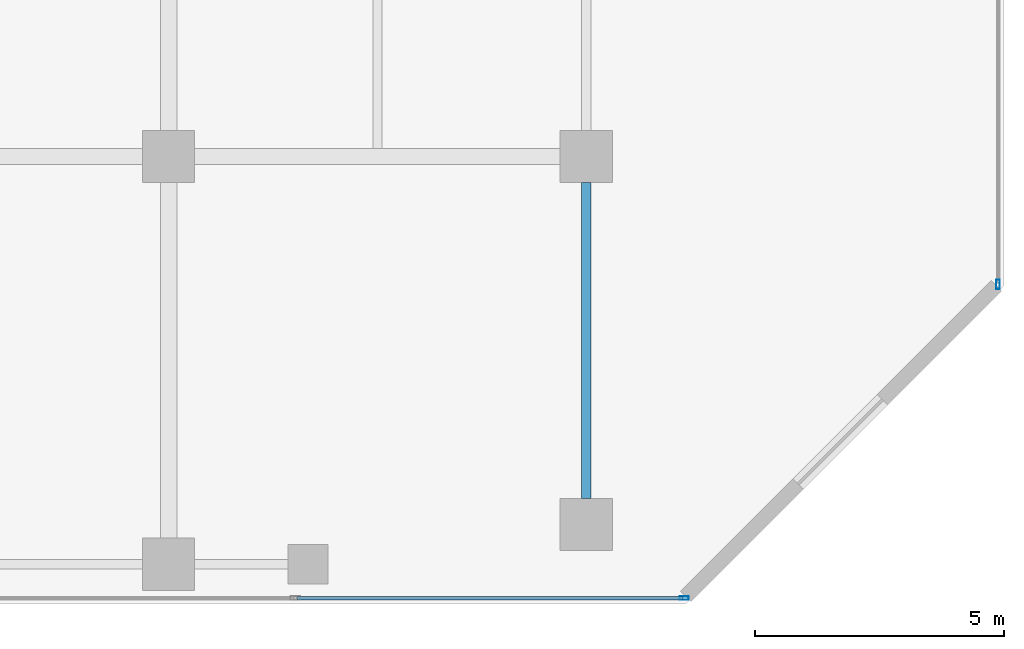
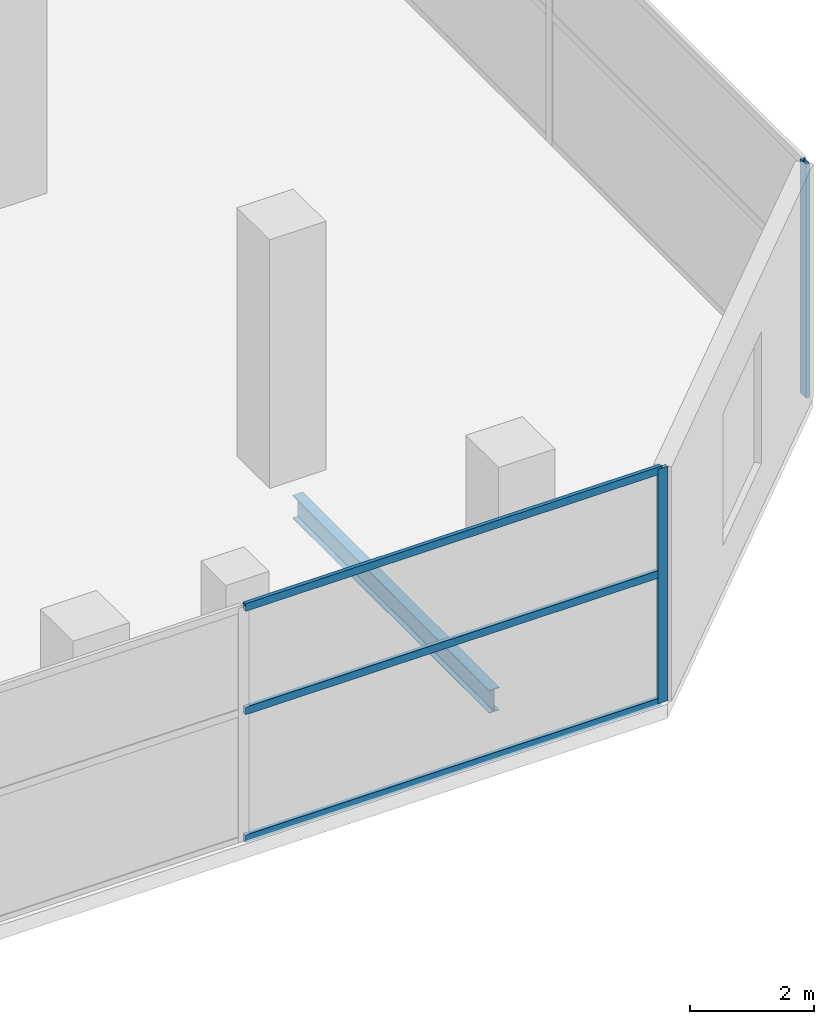
# One storey, part 24 of 39: 5 members, 1 beam, 2 elements without a shape of their own.
"""IFC4 building model written with IfcOpenShell, lengths in metres."""

from ifc_helpers import new_model, si_unit, direction, frame, origin, origin_2d, place, context, subcontext, project, spatial, hollow_rectangle, i_section, extrude, material, layer, layer_set, material_profile, profile_set, type_object, element, aggregate, save


model = new_model("IFC4")

# Units and contexts
model_context = context("Model", 3, precision=1e-05, world=origin(), true_north=direction((0.0, 1.0)))
body_context = subcontext(model_context, "Body", "Model", "MODEL_VIEW")
ifc_project = project(units=[si_unit("LENGTHUNIT", "METRE"), si_unit("AREAUNIT", "SQUARE_METRE"), si_unit("VOLUMEUNIT", "CUBIC_METRE"), si_unit("PLANEANGLEUNIT", "RADIAN"), si_unit("MASSUNIT", "GRAM", prefix="KILO")], contexts=[model_context])

# Site, building, storey
site_placement = place(None, origin())
site = spatial("IfcSite", under=ifc_project, at=site_placement, CompositionType="ELEMENT")
building_placement = place(site_placement, origin())
building = spatial("IfcBuilding", under=site, at=building_placement, Name="Maruvema Waterfront Hotel and Observation Tower", CompositionType="ELEMENT")
storey_placement = place(building_placement, frame((0.0, 0.0, 16.449951171875)))
storey = spatial("IfcBuildingStorey", under=building, at=storey_placement, Name="L03", CompositionType="ELEMENT", Elevation=16.449951171875)

# Curtain wall, members
ifc_material_1 = material(Name="Anodised bronze aluminium and solar-control low-E IGU", Category="aluminium")
ifc_layer = layer(ifc_material_1, 0.159912109375, Name="Podium Waterfront Storefront Curtain Wall System CW-01")
ifc_layer_set = layer_set([ifc_layer], Name="Anodised bronze aluminium and solar-control low-E IGU")
curtain_wall_type = type_object("IfcCurtainWallType", Name="Podium Waterfront Storefront Curtain Wall System CW-01", PredefinedType="USERDEFINED", material=ifc_layer_set)
curtain_wall_1_placement = place(storey_placement, origin())
curtain_wall_1 = element("IfcCurtainWall", 1, at=curtain_wall_1_placement, inside=storey, type_object=curtain_wall_type, Name="L03 Curtain Wall CW-L03-S", ObjectType="UNITISED CURTAIN WALL", PredefinedType="USERDEFINED")
ifc_material_2 = material(Name="Anodised architectural bronze aluminium", Category="aluminium")
ifc_material_profile_1 = material_profile(ifc_material_2, hollow_rectangle(XDim=0.070068359375, YDim=0.14990234375, WallThickness=0.00390625, at=origin_2d()), Name="ALU-T70x150")
ifc_profile_set_1 = profile_set([ifc_material_profile_1], Name="Anodised architectural bronze aluminium")
member_type_1 = type_object("IfcMemberType", Name="Curtain Wall Horizontal Transom ALU-T70x150", PredefinedType="USERDEFINED", material=ifc_profile_set_1)
member_1_placement = place(storey_placement, frame((61.3798828125, 0.1201171875, 0.030029296875), z_axis=(1.0, 0.0, 0.0), x_axis=(0.0, 1.0, 0.0)))
member_1 = element("IfcMember", 2, at=member_1_placement, type_object=member_type_1, Name="CW-01 transom 8.1", ObjectType="TRANSOM", PredefinedType="USERDEFINED", context=body_context, shape_type="SweptSolid", body=[
    extrude(hollow_rectangle(XDim=0.070068359375, YDim=0.14990234375, WallThickness=0.00390625, at=origin_2d()), origin(), (0.0, 0.0, 1.0), 7.760009765625),
])
member_2_placement = place(storey_placement, frame((61.3798828125, 0.1201171875, 2.550048828125), z_axis=(1.0, 0.0, 0.0), x_axis=(0.0, 1.0, 0.0)))
member_2 = element("IfcMember", 3, at=member_2_placement, type_object=member_type_1, Name="CW-01 transom 8.2", ObjectType="TRANSOM", PredefinedType="USERDEFINED", context=body_context, shape_type="SweptSolid", body=[
    extrude(hollow_rectangle(XDim=0.070068359375, YDim=0.14990234375, WallThickness=0.00390625, at=origin_2d()), origin(), (0.0, 0.0, 1.0), 7.760009765625),
])
member_3_placement = place(storey_placement, frame((61.3798828125, 0.1201171875, 4.590087890625), z_axis=(1.0, 0.0, 0.0), x_axis=(0.0, 1.0, 0.0)))
member_3 = element("IfcMember", 4, at=member_3_placement, type_object=member_type_1, Name="CW-01 transom 8.3", ObjectType="TRANSOM", PredefinedType="USERDEFINED", context=body_context, shape_type="SweptSolid", body=[
    extrude(hollow_rectangle(XDim=0.070068359375, YDim=0.14990234375, WallThickness=0.00390625, at=origin_2d()), origin(), (0.0, 0.0, 1.0), 7.760009765625),
])

# Beam
ifc_material_3 = material(Name="Steel ASTM A572 Grade 50", Category="steel")
ifc_material_profile_2 = material_profile(ifc_material_3, i_section(OverallWidth=0.18994140625, OverallDepth=0.45703125, WebThickness=0.009033203125, FlangeThickness=0.014404296875, FilletRadius=0.014892578125, at=origin_2d()), Name="W460x74.0")
ifc_profile_set_2 = profile_set([ifc_material_profile_2], Name="Steel ASTM A572 Grade 50")
beam_type = type_object("IfcBeamType", Name="Perimeter Spandrel Beam W460x74.0", PredefinedType="SPANDREL", material=ifc_profile_set_2)
beam_placement = place(storey_placement, frame((67.199951171875, 2.125, -0.508544921875), z_axis=(0.0, 1.0, 0.0), x_axis=(-1.0, 0.0, 0.0)))
element("IfcBeam", 5, at=beam_placement, inside=storey, type_object=beam_type, Name="L03 Floor Girder NS-29", PredefinedType="SPANDREL", context=body_context, shape_type="SweptSolid", body=[
    extrude(i_section(OverallWidth=0.18994140625, OverallDepth=0.45703125, WebThickness=0.009033203125, FlangeThickness=0.014404296875, FilletRadius=0.014892578125, at=origin_2d()), origin(), (0.0, 0.0, 1.0), 6.35009765625),
])

# Member
ifc_material_4 = material(Name="Anodised architectural bronze aluminium", Category="aluminium")
ifc_material_profile_3 = material_profile(ifc_material_4, hollow_rectangle(XDim=0.070068359375, YDim=0.18994140625, WallThickness=0.00390625, at=origin_2d()), Name="ALU-M70x190")
ifc_profile_set_3 = profile_set([ifc_material_profile_3], Name="Anodised architectural bronze aluminium")
member_type_2 = type_object("IfcMemberType", Name="Podium Storefront Heavy Mullion ALU-M70x190", PredefinedType="MULLION", material=ifc_profile_set_3)
member_4_placement = place(storey_placement, frame((69.169921875, 0.1201171875, 0.0), z_axis=(0.0, 0.0, 1.0), x_axis=(0.0, 1.0, 0.0)))
member_4 = element("IfcMember", 6, at=member_4_placement, type_object=member_type_2, Name="CW-01 mullion 9", PredefinedType="MULLION", context=body_context, shape_type="SweptSolid", body=[
    extrude(hollow_rectangle(XDim=0.070068359375, YDim=0.18994140625, WallThickness=0.00390625, at=origin_2d()), origin(), (0.0, 0.0, 1.0), 4.6201171875),
])

aggregate(curtain_wall_1, [member_4, member_1, member_2, member_3])

# Curtain wall, member
curtain_wall_2_placement = place(storey_placement, origin())
curtain_wall_2 = element("IfcCurtainWall", 7, at=curtain_wall_2_placement, inside=storey, type_object=curtain_wall_type, Name="L03 Curtain Wall CW-L03-E", ObjectType="UNITISED CURTAIN WALL", PredefinedType="USERDEFINED")
member_5_placement = place(storey_placement, frame((75.47998046875, 6.429931640625, 0.0), z_axis=(0.0, 0.0, 1.0), x_axis=(-1.0, 0.0, 0.0)))
member_5 = element("IfcMember", 8, at=member_5_placement, type_object=member_type_2, Name="CW-01 mullion 1", PredefinedType="MULLION", context=body_context, shape_type="SweptSolid", body=[
    extrude(hollow_rectangle(XDim=0.070068359375, YDim=0.18994140625, WallThickness=0.00390625, at=origin_2d()), origin(), (0.0, 0.0, 1.0), 4.6201171875),
])
aggregate(curtain_wall_2, [member_5])

save(model, "model.ifc")
